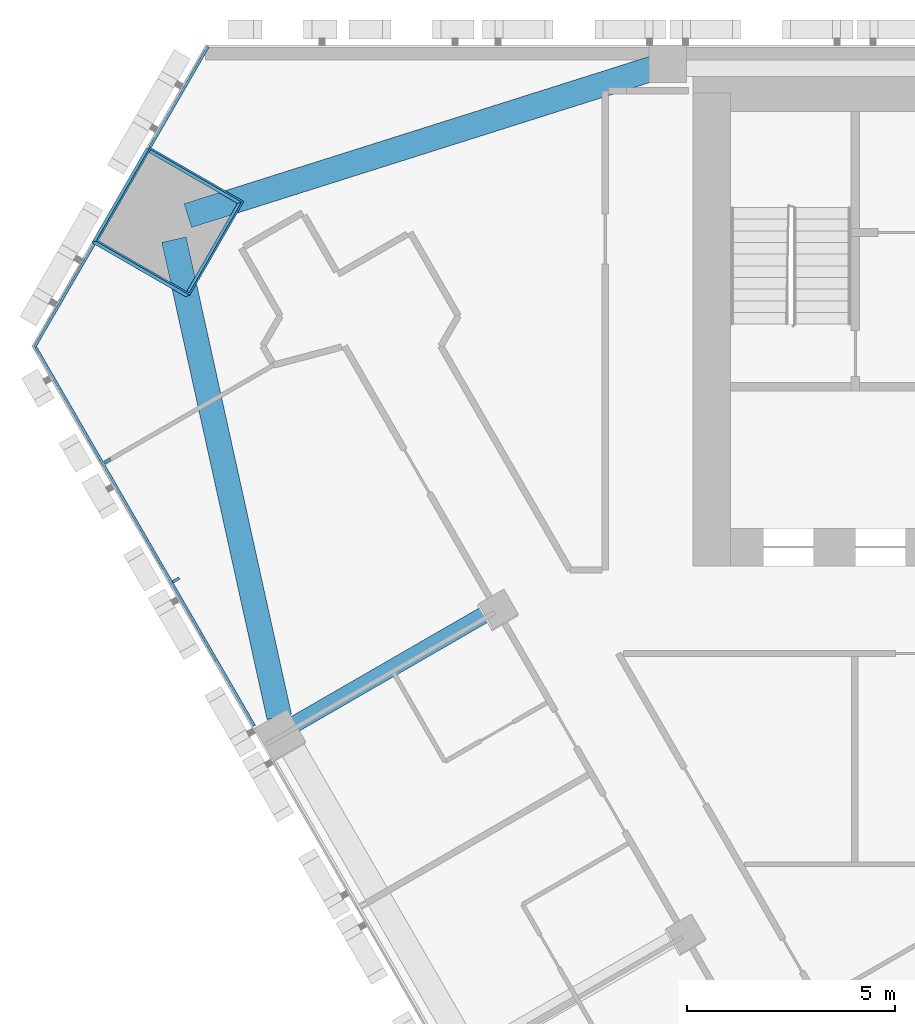
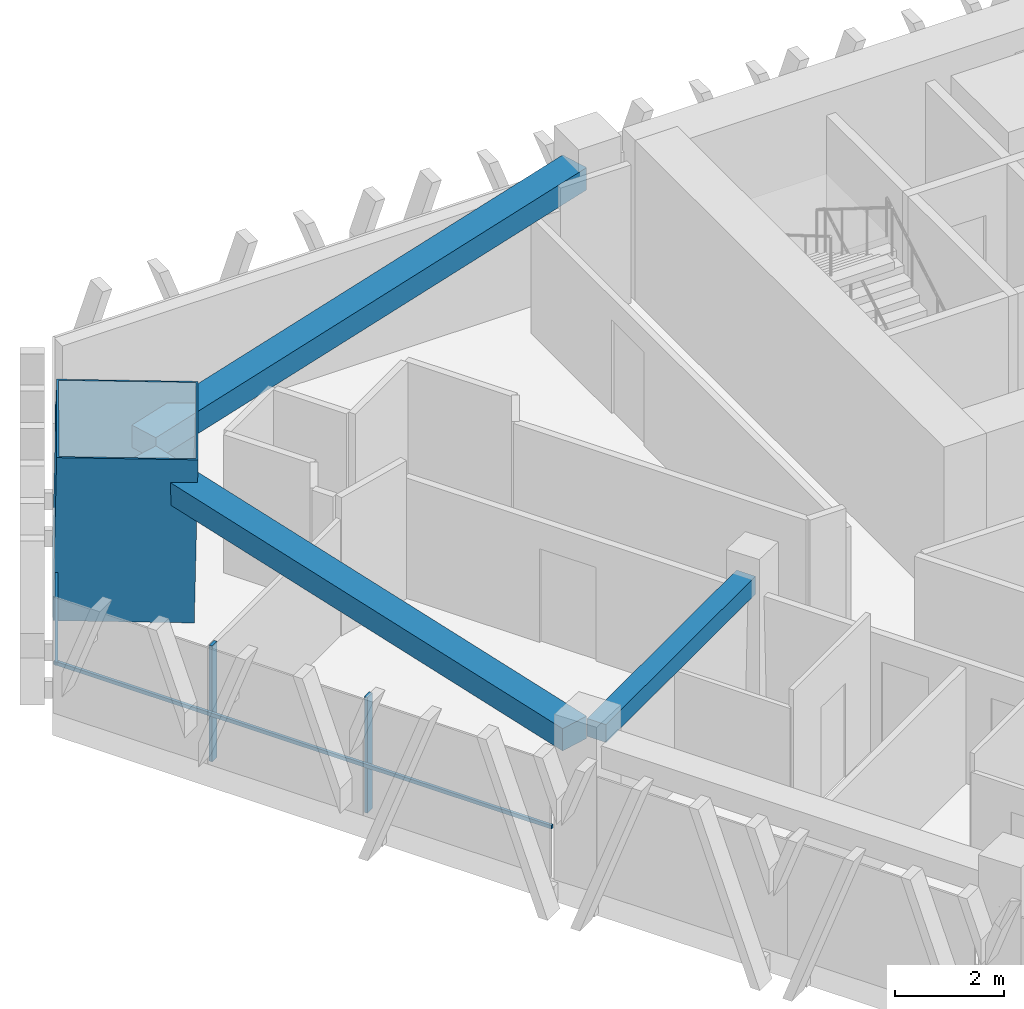
# One storey, part 5 of 16: 6 members, 3 beams, 2 elements without a shape of their own.
"""IFC4 building model written with IfcOpenShell, lengths in metres."""

from ifc_helpers import new_model, si_unit, direction, frame, origin, origin_2d, place, context, subcontext, project, spatial, rectangle, hollow_rectangle, extrude, material, layer, layer_set, material_profile, profile_set, type_object, element, aggregate, save


model = new_model("IFC4")

# Units and contexts
model_context = context("Model", 3, precision=1e-05, world=origin(), true_north=direction((0.0, 1.0)))
body_context = subcontext(model_context, "Body", "Model", "MODEL_VIEW")
ifc_project = project(units=[si_unit("LENGTHUNIT", "METRE"), si_unit("AREAUNIT", "SQUARE_METRE"), si_unit("VOLUMEUNIT", "CUBIC_METRE"), si_unit("PLANEANGLEUNIT", "RADIAN"), si_unit("MASSUNIT", "GRAM", prefix="KILO")], contexts=[model_context])

# Site, building, storey
site_placement = place(None, origin())
site = spatial("IfcSite", under=ifc_project, at=site_placement, CompositionType="ELEMENT")
building_placement = place(site_placement, origin())
building = spatial("IfcBuilding", under=site, at=building_placement, Name="Altiplano Prism Tower", CompositionType="ELEMENT")
storey_placement = place(building_placement, frame((0.0, 0.0, 104.39990234375)))
storey = spatial("IfcBuildingStorey", under=building, at=storey_placement, Name="L26", CompositionType="ELEMENT", Elevation=104.39990234375)

# Curtain wall, members
ifc_material_1 = material(Name="Aluminium and glass", Category="aluminium")
ifc_layer = layer(ifc_material_1, 0.280029296875)
ifc_layer_set = layer_set([ifc_layer], Name="Aluminium and glass")
curtain_wall_type = type_object("IfcCurtainWallType", Name="CW1 typical co-living unitised curtain wall", PredefinedType="NOTDEFINED", material=ifc_layer_set)
curtain_wall_1_placement = place(storey_placement, origin())
curtain_wall_1 = element("IfcCurtainWall", 1, at=curtain_wall_1_placement, inside=storey, type_object=curtain_wall_type, Name="CW1 curtain wall south-west face L26", PredefinedType="NOTDEFINED")
ifc_material_2 = material(Name="Aluminium", Category="aluminium")
ifc_material_profile_1 = material_profile(ifc_material_2, rectangle(XDim=0.179931640625, YDim=0.06494140625, at=origin_2d()), Name="CW1 mullion 65 x 180")
ifc_profile_set_1 = profile_set([ifc_material_profile_1], Name="Aluminium")
member_type_1 = type_object("IfcMemberType", Name="CW1 mullion 65 x 180", PredefinedType="MULLION", material=ifc_profile_set_1)
member_1_placement = place(storey_placement, frame((58.05078125, 95.01513671875, 0.0), z_axis=(0.0, 0.0, 1.0), x_axis=(0.866025401838, 0.500000003371, 0.0)))
member_1 = element("IfcMember", 2, at=member_1_placement, type_object=member_type_1, Name="CW1 mullion", PredefinedType="MULLION", context=body_context, shape_type="SweptSolid", body=[
    extrude(rectangle(XDim=0.179931640625, YDim=0.06494140625, at=origin_2d()), origin(), (0.0, 0.0, 1.0), 2.60009765625),
])
member_2_placement = place(storey_placement, frame((59.69775390625, 92.162109375, 0.0), z_axis=(0.0, 0.0, 1.0), x_axis=(0.866025401838, 0.500000003371, 0.0)))
member_2 = element("IfcMember", 3, at=member_2_placement, type_object=member_type_1, Name="CW1 mullion", PredefinedType="MULLION", context=body_context, shape_type="SweptSolid", body=[
    extrude(rectangle(XDim=0.179931640625, YDim=0.06494140625, at=origin_2d()), origin(), (0.0, 0.0, 1.0), 2.60009765625),
])

curtain_wall_2_placement = place(storey_placement, origin())
curtain_wall_2 = element("IfcCurtainWall", 4, at=curtain_wall_2_placement, inside=storey, type_object=curtain_wall_type, Name="CW1 curtain wall north-west chamfer L26", PredefinedType="NOTDEFINED")
ifc_material_profile_2 = material_profile(ifc_material_2, rectangle(XDim=0.06005859375, YDim=0.080078125, at=origin_2d()), Name="CW1 transom 80 x 60")
ifc_profile_set_2 = profile_set([ifc_material_profile_2], Name="Aluminium")
member_type_2 = type_object("IfcMemberType", Name="CW1 transom 80 x 60", PredefinedType="USERDEFINED", material=ifc_profile_set_2)
member_3_placement = place(storey_placement, frame((60.47216796875, 104.965087890625, 1.10009765625), z_axis=(-0.49998480324, -0.86603417746, 0.0), x_axis=(0.86603417746, -0.49998480324, 0.0)))
member_3 = element("IfcMember", 5, at=member_3_placement, type_object=member_type_2, Name="CW1 transom", ObjectType="TRANSOM", PredefinedType="USERDEFINED", context=body_context, shape_type="SweptSolid", body=[
    extrude(rectangle(XDim=0.06005859375, YDim=0.080078125, at=origin_2d()), origin(), (0.0, 0.0, 1.0), 2.79248046875),
])
member_4_placement = place(storey_placement, frame((57.736083984375, 100.2255859375, 1.10009765625), z_axis=(-0.500051038308, -0.865995934798, 0.0), x_axis=(0.865995934798, -0.500051038308, 0.0)))
member_4 = element("IfcMember", 6, at=member_4_placement, type_object=member_type_2, Name="CW1 transom", ObjectType="TRANSOM", PredefinedType="USERDEFINED", context=body_context, shape_type="SweptSolid", body=[
    extrude(rectangle(XDim=0.06005859375, YDim=0.080078125, at=origin_2d()), origin(), (0.0, 0.0, 1.0), 2.872802734375),
])
aggregate(curtain_wall_2, [member_3, member_4])

# Member
member_5_placement = place(storey_placement, frame((56.299560546875, 97.807861328125, 1.10009765625), z_axis=(0.500005994294, -0.86602194295, 0.0), x_axis=(0.86602194295, 0.500005994294, 0.0)))
member_5 = element("IfcMember", 7, at=member_5_placement, type_object=member_type_2, Name="CW1 transom", ObjectType="TRANSOM", PredefinedType="USERDEFINED", context=body_context, shape_type="SweptSolid", body=[
    extrude(rectangle(XDim=0.06005859375, YDim=0.080078125, at=origin_2d()), origin(), (0.0, 0.0, 1.0), 10.558837890625),
])

aggregate(curtain_wall_1, [member_1, member_2, member_5])

# Beams
ifc_material_3 = material(Name="Concrete C60/75", Category="concrete")
ifc_material_profile_3 = material_profile(ifc_material_3, rectangle(XDim=0.60009765625, YDim=0.5, at=origin_2d()), Name="Edge beam 600x500")
ifc_profile_set_3 = profile_set([ifc_material_profile_3], Name="Concrete C60/75")
beam_type_1 = type_object("IfcBeamType", Name="Edge beam 600x500", PredefinedType="SPANDREL", material=ifc_profile_set_3)
for number, where, z_axis, x_axis, name in (
    (8, (71.164306640625, 104.44384765625, 2.85009765625), (-0.953406008739, -0.301690209486, 0.0), (0.301690209486, -0.953406008739, 0.0), "Edge beam P04-M0 L27"),
    (9, (59.650390625, 100.330322265625, 2.85009765625), (0.215429214467, -0.976519458871, 0.0), (0.976519458871, 0.215429214467, 0.0), "Edge beam M0-P11 L27"),
):
    element("IfcBeam", number, at=place(storey_placement, frame(where, z_axis=z_axis, x_axis=x_axis)), inside=storey, type_object=beam_type_1, Name=name, PredefinedType="SPANDREL", context=body_context, shape_type="SweptSolid", body=[
        extrude(rectangle(XDim=0.60009765625, YDim=0.5, at=origin_2d()), origin(), (0.0, 0.0, 1.0), 11.728271484375),
    ])

# Member
ifc_material_4 = material(Name="Steel S460", Category="steel")
ifc_material_profile_4 = material_profile(ifc_material_4, hollow_rectangle(XDim=2.60009765625, YDim=2.60009765625, WallThickness=0.0400390625, at=origin_2d()), Name="Mega column tube 2600")
ifc_profile_set_4 = profile_set([ifc_material_profile_4], Name="Steel S460")
member_type_3 = type_object("IfcMemberType", Name="Mega column tube 2600", PredefinedType="POST", material=ifc_profile_set_4)
member_6_placement = place(storey_placement, frame((59.451171875, 100.736328125, 0.0), z_axis=(0.028401796786, 0.009286506348, 0.999553449666), x_axis=(-0.86620189855, 0.499294816778, 0.019973905167)))
element("IfcMember", 10, at=member_6_placement, inside=storey, type_object=member_type_3, Name="Mega column tube M0 L26", PredefinedType="POST", context=body_context, shape_type="SweptSolid", body=[
    extrude(hollow_rectangle(XDim=2.60009765625, YDim=2.60009765625, WallThickness=0.0400390625, at=origin_2d()), origin(), (0.0, 0.0, 1.0), 3.601806640625),
])

# Beam
ifc_material_profile_5 = material_profile(ifc_material_3, rectangle(XDim=0.39990234375, YDim=0.39990234375, at=origin_2d()), Name="Tie beam 400x400")
ifc_profile_set_5 = profile_set([ifc_material_profile_5], Name="Concrete C60/75")
beam_type_2 = type_object("IfcBeamType", Name="Tie beam 400x400", PredefinedType="BEAM", material=ifc_profile_set_5)
beam_placement = place(storey_placement, frame((67.293212890625, 91.443603515625, 2.900146484375), z_axis=(-0.866031549307, -0.499989355492, 0.0), x_axis=(0.499989355492, -0.866031549307, 0.0)))
element("IfcBeam", 11, at=beam_placement, inside=storey, type_object=beam_type_2, Name="Tie beam I11 L27", PredefinedType="BEAM", context=body_context, shape_type="SweptSolid", body=[
    extrude(rectangle(XDim=0.39990234375, YDim=0.39990234375, at=origin_2d()), origin(), (0.0, 0.0, 1.0), 5.48974609375),
])

save(model, "model.ifc")
